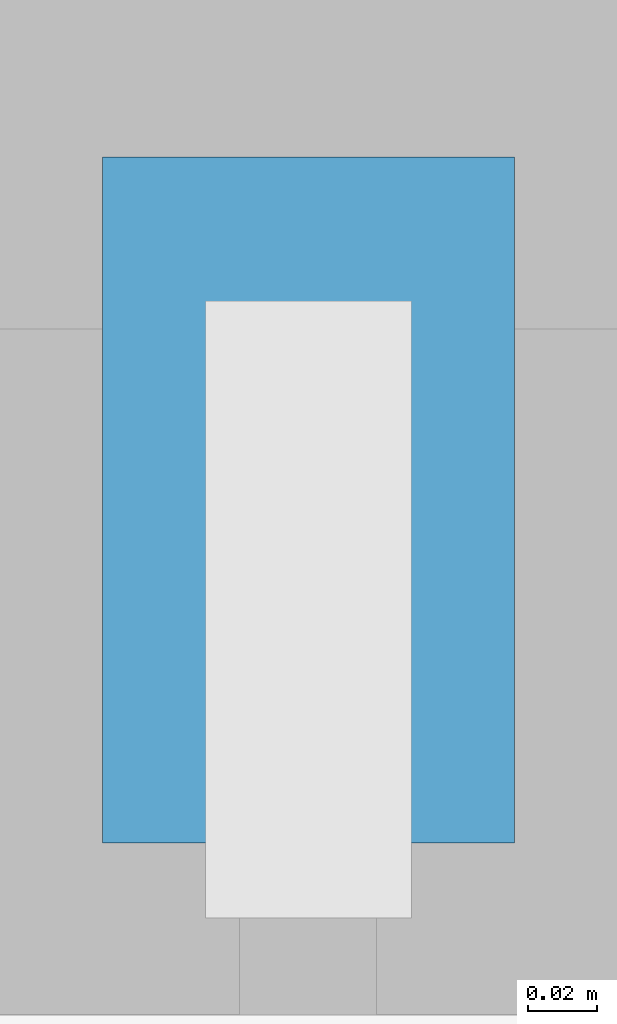
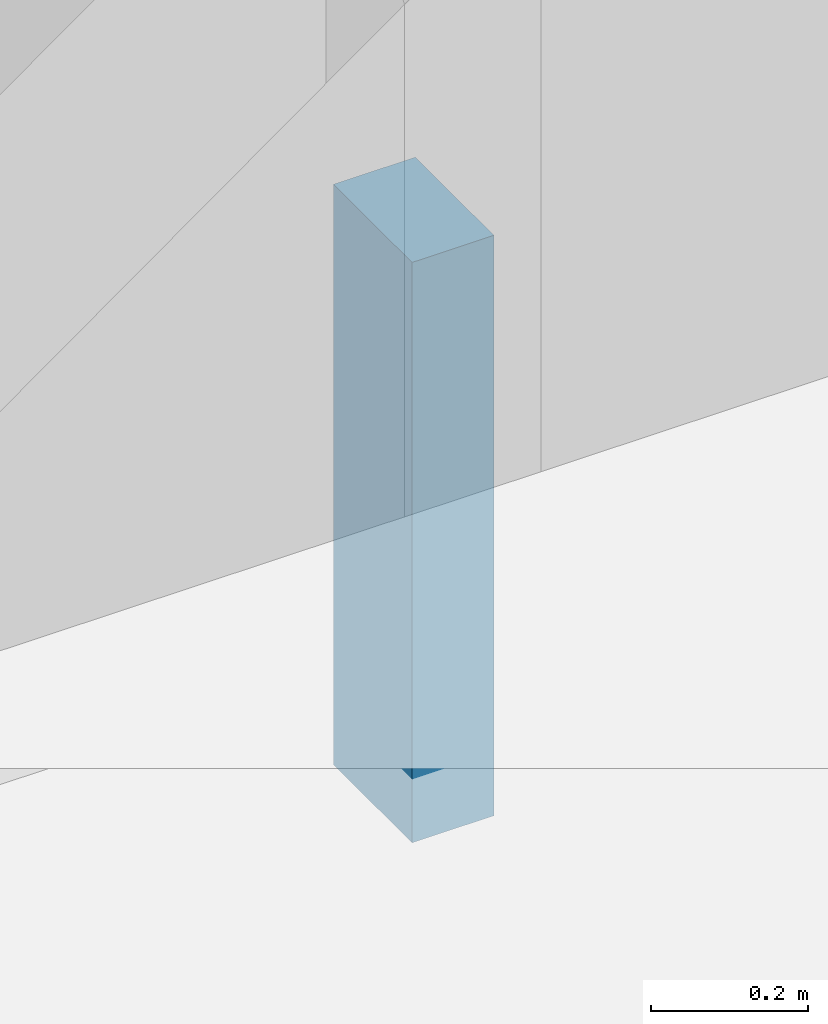
# One storey, part 10 of 32: 1 member, 1 element without a shape of its own.
"""IFC4 building model written with IfcOpenShell, lengths in metres."""

from ifc_helpers import new_model, si_unit, direction, frame, origin, origin_2d, place, context, subcontext, project, spatial, rectangle, extrude, material, layer, layer_set, material_profile, profile_set, type_object, element, aggregate, save


model = new_model("IFC4")

# Units and contexts
model_context = context("Model", 3, precision=1e-05, world=origin(), true_north=direction((0.0, 1.0)))
body_context = subcontext(model_context, "Body", "Model", "MODEL_VIEW")
ifc_project = project(units=[si_unit("LENGTHUNIT", "METRE"), si_unit("AREAUNIT", "SQUARE_METRE"), si_unit("VOLUMEUNIT", "CUBIC_METRE"), si_unit("PLANEANGLEUNIT", "RADIAN"), si_unit("MASSUNIT", "GRAM", prefix="KILO")], contexts=[model_context])

# Site, building, storey
site_placement = place(None, origin())
site = spatial("IfcSite", under=ifc_project, at=site_placement, CompositionType="ELEMENT")
building_placement = place(site_placement, origin())
building = spatial("IfcBuilding", under=site, at=building_placement, Name="Hakoniwa Tower and Hamabe Station Hall", CompositionType="ELEMENT")
storey_placement = place(building_placement, frame((0.0, 0.0, 150.199951171875)))
storey = spatial("IfcBuildingStorey", under=building, at=storey_placement, Name="L42", CompositionType="ELEMENT", Elevation=150.199951171875)

# Curtain wall, member
ifc_material_1 = material(Name="Dark low-e laminated glass", Category="glass")
ifc_layer = layer(ifc_material_1, 0.199951171875)
ifc_layer_set = layer_set([ifc_layer], Name="CW-1 UNITISED GUEST")
curtain_wall_type = type_object("IfcCurtainWallType", Name="CW-1 UNITISED GUEST", PredefinedType="NOTDEFINED", material=ifc_layer_set)
curtain_wall_placement = place(storey_placement, origin())
curtain_wall = element("IfcCurtainWall", 1, at=curtain_wall_placement, inside=storey, type_object=curtain_wall_type, Name="CW-1 curtain wall", PredefinedType="NOTDEFINED")
ifc_material_2 = material(Name="Aluminium 6063-T5 black anodised", Category="aluminium")
ifc_material_profile = material_profile(ifc_material_2, rectangle(XDim=0.199951171875, YDim=0.89990234375, at=origin_2d()), Name="CW SLAB-EDGE BAND 900X200")
ifc_profile_set = profile_set([ifc_material_profile], Name="Aluminium 6063-T5 black anodised")
member_type = type_object("IfcMemberType", Name="CW SLAB-EDGE BAND 900X200", PredefinedType="USERDEFINED", material=ifc_profile_set)
member_placement = place(storey_placement, frame((25.139892578125, -19.14990234375, -0.099853515625), z_axis=(1.0, 0.0, 0.0), x_axis=(0.0, 1.0, 0.0)))
member = element("IfcMember", 2, at=member_placement, type_object=member_type, Name="CW-1 transom", ObjectType="TRANSOM", PredefinedType="USERDEFINED", context=body_context, shape_type="SweptSolid", body=[
    extrude(rectangle(XDim=0.199951171875, YDim=0.89990234375, at=origin_2d()), origin(), (0.0, 0.0, 1.0), 0.1201171875),
])
aggregate(curtain_wall, [member])

save(model, "model.ifc")
